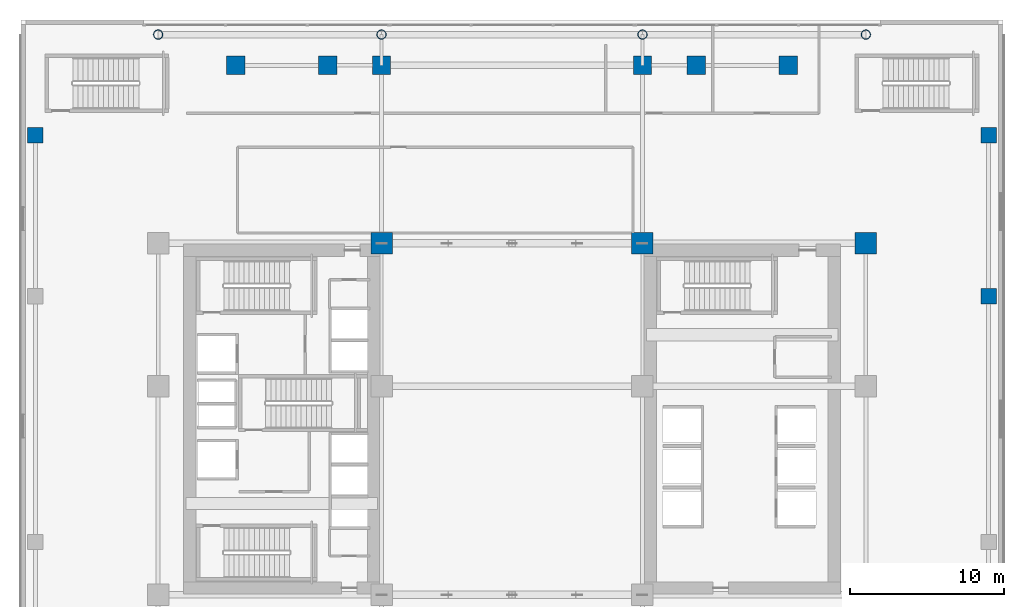
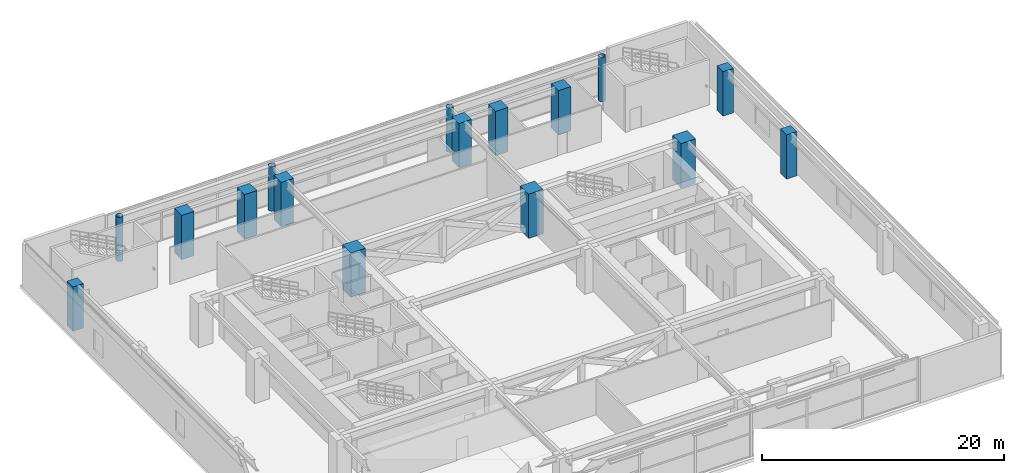
# One storey, part 2 of 28: 16 columns.
"""IFC4 building model written with IfcOpenShell, lengths in metres."""

import ifcopenshell
import ifcopenshell.guid

model = None  # the IFC model being written
_history = None  # IfcOwnerHistory: only IFC2X3 demands one
_inside = {}  # id of a spatial element -> (the spatial element, [elements in it])
_under = {}  # id of a project, library or spatial element -> (it, [spatial elements below it])
_declared = {}  # id of a project -> (the project, [libraries it declares])
_typed = {}  # id of a type object -> (the type object, [elements of that type])
_made_of = {}  # id of a material, layer set ... -> (it, [elements and type objects made of it])


def new_model(schema):
    """Start an empty IFC model of exactly this schema.

    Asked for "IFC4X3", IfcOpenShell would pick the latest addendum, in which some entities
    have other attributes; the version numbers below select the first issue.
    IFC2X3 requires an IfcOwnerHistory on every rooted entity: one is made here for all.
    """
    global model, _history
    if schema == "IFC4X3":
        model = ifcopenshell.file(schema_version=(4, 3, 0, 0))
    else:
        model = ifcopenshell.file(schema=schema)
    _inside.clear()
    _under.clear()
    _declared.clear()
    _typed.clear()
    _made_of.clear()
    _history = None
    if model.schema == "IFC2X3":
        org = make("IfcOrganization", Name="unknown")
        user = make(
            "IfcPersonAndOrganization",
            ThePerson=make("IfcPerson", FamilyName="unknown"),
            TheOrganization=org,
        )
        app = make(
            "IfcApplication",
            ApplicationDeveloper=org,
            Version="unknown",
            ApplicationFullName="unknown",
            ApplicationIdentifier="unknown",
        )
        _history = make(
            "IfcOwnerHistory",
            OwningUser=user,
            OwningApplication=app,
            ChangeAction="ADDED",
            CreationDate=0,
        )
    return model


def make(cls, **values):
    """One entity of the class cls with the attributes given. An attribute that is None is left unset."""
    return model.create_entity(
        cls, **{name: value for name, value in values.items() if value is not None}
    )


def rooted(cls, **values):
    """An entity with a GlobalId (a new one), such as an element, a storey or a relation."""
    return make(cls, GlobalId=ifcopenshell.guid.new(), OwnerHistory=_history, **values)


def si_unit(unit_type, name, prefix=None):
    """IfcSIUnit, for example si_unit("LENGTHUNIT", "METRE", prefix="MILLI")."""
    return make("IfcSIUnit", UnitType=unit_type, Prefix=prefix, Name=name)


def assignment(units):
    """IfcUnitAssignment: the units of a project."""
    return None if units is None else make("IfcUnitAssignment", Units=units)


def point(xyz):
    """IfcCartesianPoint."""
    return None if xyz is None else make("IfcCartesianPoint", Coordinates=xyz)


def direction(xyz):
    """IfcDirection."""
    return None if xyz is None else make("IfcDirection", DirectionRatios=xyz)


def frame(location, z_axis=None, x_axis=None):
    """IfcAxis2Placement3D, a coordinate frame: its origin and axes. An axis left out is left unset."""
    return make(
        "IfcAxis2Placement3D",
        Location=point(location),
        Axis=direction(z_axis),
        RefDirection=direction(x_axis),
    )


def frame_2d(location, x_axis=None):
    """IfcAxis2Placement2D, a coordinate frame in the plane: its origin and x axis."""
    return make(
        "IfcAxis2Placement2D", Location=point(location), RefDirection=direction(x_axis)
    )


def origin():
    """The frame at (0, 0, 0) with its axes left unset."""
    return frame((0.0, 0.0, 0.0))


def origin_2d():
    """The frame at (0, 0) in the plane with its x axis left unset."""
    return frame_2d((0.0, 0.0))


def place(relative_to, where):
    """IfcLocalPlacement: puts the frame where relative to a parent placement (None: the world)."""
    return make(
        "IfcLocalPlacement", PlacementRelTo=relative_to, RelativePlacement=where
    )


def context(
    kind, dimensions, precision=None, world=None, true_north=None, identifier=None
):
    """IfcGeometricRepresentationContext, for example the 3D "Model" context."""
    return make(
        "IfcGeometricRepresentationContext",
        ContextIdentifier=identifier,
        ContextType=kind,
        CoordinateSpaceDimension=dimensions,
        Precision=precision,
        WorldCoordinateSystem=world,
        TrueNorth=true_north,
    )


def subcontext(parent, identifier, kind, view, scale=None):
    """IfcGeometricRepresentationSubContext, for example "Body" below "Model"."""
    return make(
        "IfcGeometricRepresentationSubContext",
        ContextIdentifier=identifier,
        ContextType=kind,
        ParentContext=parent,
        TargetScale=scale,
        TargetView=view,
    )


def project(units=None, contexts=None):
    """IfcProject with its units and contexts."""
    return rooted(
        "IfcProject",
        Name="project",
        RepresentationContexts=contexts,
        UnitsInContext=assignment(units),
    )


def spatial(cls, under=None, at=None, **own):
    """A site, building, storey or space (cls), placed at a placement, below another one or the project."""
    s = rooted(cls, ObjectPlacement=at, **own)
    if under is not None:
        _under.setdefault(under.id(), (under, []))[1].append(s)
    return s


def profile(cls, at=None, kind="AREA", **sizes):
    """A parametric profile (cls). Its sizes go by their IFC names, for example OverallWidth=200.0."""
    return make(cls, ProfileType=kind, Position=at, **sizes)


def rectangle(**sizes):
    """IfcRectangleProfileDef."""
    return profile("IfcRectangleProfileDef", **sizes)


def hollow_circle(**sizes):
    """IfcCircleHollowProfileDef."""
    return profile("IfcCircleHollowProfileDef", **sizes)


def extrude(swept, where, along, depth):
    """IfcExtrudedAreaSolid: the profile swept, set in the frame where, extruded along a direction by depth."""
    return make(
        "IfcExtrudedAreaSolid",
        SweptArea=swept,
        Position=where,
        ExtrudedDirection=direction(along),
        Depth=depth,
    )


def shape(context_of_items, identifier, shape_type, items):
    """IfcShapeRepresentation: the items that make up one representation, for example the "Body"."""
    return make(
        "IfcShapeRepresentation",
        ContextOfItems=context_of_items,
        RepresentationIdentifier=identifier,
        RepresentationType=shape_type,
        Items=items,
    )


def source(mapping_origin, context_of_items, identifier, shape_type, items):
    """IfcRepresentationMap: a shape defined once, which mapped items show again and again."""
    return make(
        "IfcRepresentationMap",
        MappingOrigin=mapping_origin,
        MappedRepresentation=shape(context_of_items, identifier, shape_type, items),
    )


def transform(
    local_origin,
    x_axis=None,
    y_axis=None,
    z_axis=None,
    scale=None,
    scale2=None,
    scale3=None,
    uniform=True,
):
    """IfcCartesianTransformationOperator3D, or its non-uniform kind. x_axis, y_axis, z_axis: its Axis1, 2, 3."""
    if uniform:
        return make(
            "IfcCartesianTransformationOperator3D",
            Axis1=direction(x_axis),
            Axis2=direction(y_axis),
            LocalOrigin=point(local_origin),
            Scale=scale,
            Axis3=direction(z_axis),
        )
    return make(
        "IfcCartesianTransformationOperator3DnonUniform",
        Axis1=direction(x_axis),
        Axis2=direction(y_axis),
        LocalOrigin=point(local_origin),
        Scale=scale,
        Axis3=direction(z_axis),
        Scale2=scale2,
        Scale3=scale3,
    )


def mapped(mapping_source, mapping_target):
    """IfcMappedItem: shows the shape of a source again, moved by a transform."""
    return make(
        "IfcMappedItem", MappingSource=mapping_source, MappingTarget=mapping_target
    )


def material(Name=None, Category=None):
    """IfcMaterial."""
    return make("IfcMaterial", Name=Name, Category=Category)


def material_profile(
    of_material, cross_section, Name=None, Category=None, Priority=None
):
    """IfcMaterialProfile: a cross section and its material."""
    return make(
        "IfcMaterialProfile",
        Name=Name,
        Material=of_material,
        Profile=cross_section,
        Priority=Priority,
        Category=Category,
    )


def profile_set(profiles, Name=None, composite=None):
    """IfcMaterialProfileSet."""
    return make(
        "IfcMaterialProfileSet",
        Name=Name,
        MaterialProfiles=profiles,
        CompositeProfile=composite,
    )


def made_of(thing, what):
    """Note that an element or type object is made of a material, layer set ...; save() writes the relation."""
    if what is not None:
        _made_of.setdefault(what.id(), (what, []))[1].append(thing)
    return thing


def type_object(cls, material=None, **own):
    """A type object (cls), such as IfcWallType, which elements share."""
    return made_of(rooted(cls, **own), material)


def element(
    cls,
    number,
    at=None,
    inside=None,
    cuts=None,
    type_object=None,
    material=None,
    context=None,
    identifier="Body",
    shape_type=None,
    held_by="IfcProductDefinitionShape",
    body=None,
    shapes=None,
    **own,
):
    """One element of the class cls, such as IfcWall. Its Tag is "e" and its number.

    at: its placement. inside: the storey or other place that contains it. cuts: it is an
    opening in that element (IfcRelVoidsElement). A single representation is given by context,
    identifier, shape_type and body (its items); several are given by shapes. held_by: the class
    of the entity that holds the representations. save() writes the other relations.
    """
    e = rooted(cls, Tag="e%d" % number, ObjectPlacement=at, **own)
    if body is not None:
        shapes = [shape(context, identifier, shape_type, body)]
    if shapes is not None:
        e.Representation = make(held_by, Representations=shapes)
    if inside is not None:
        _inside.setdefault(inside.id(), (inside, []))[1].append(e)
    if cuts is not None:
        rooted(
            "IfcRelVoidsElement", RelatingBuildingElement=cuts, RelatedOpeningElement=e
        )
    if type_object is not None:
        _typed.setdefault(type_object.id(), (type_object, []))[1].append(e)
    return made_of(e, material)


def aggregate(whole, parts):
    """IfcRelAggregates: a whole, such as a stair, and the parts it consists of."""
    return rooted("IfcRelAggregates", RelatingObject=whole, RelatedObjects=parts)


def save(model, path):
    """Write the relations noted so far, then the file.

    IfcRelAggregates (storeys below a building ...), IfcRelContainedInSpatialStructure (elements
    in a storey), IfcRelDefinesByType, IfcRelAssociatesMaterial and IfcRelDeclares: one each for
    every whole, place, type object, material and project.
    """
    for whole, parts in _under.values():
        aggregate(whole, parts)
    for where, things in _inside.values():
        rooted(
            "IfcRelContainedInSpatialStructure",
            RelatedElements=things,
            RelatingStructure=where,
        )
    for kind, things in _typed.values():
        rooted("IfcRelDefinesByType", RelatedObjects=things, RelatingType=kind)
    for what, things in _made_of.values():
        rooted("IfcRelAssociatesMaterial", RelatedObjects=things, RelatingMaterial=what)
    for by, libraries in _declared.values():
        rooted("IfcRelDeclares", RelatingContext=by, RelatedDefinitions=libraries)
    model.write(path)


model = new_model("IFC4")

# Units and contexts
model_context = context("Model", 3, precision=1e-05, world=origin(), true_north=direction((0.0, 1.0)))
body_context = subcontext(model_context, "Body", "Model", "MODEL_VIEW")
ifc_project = project(units=[si_unit("LENGTHUNIT", "METRE"), si_unit("AREAUNIT", "SQUARE_METRE"), si_unit("VOLUMEUNIT", "CUBIC_METRE"), si_unit("PLANEANGLEUNIT", "RADIAN"), si_unit("MASSUNIT", "GRAM", prefix="KILO")], contexts=[model_context])

# Site, building, storey
site_placement = place(None, origin())
site = spatial("IfcSite", under=ifc_project, at=site_placement, CompositionType="ELEMENT")
building_placement = place(site_placement, origin())
building = spatial("IfcBuilding", under=site, at=building_placement, Name="Ocotamira Hotel", CompositionType="ELEMENT")
storey_placement = place(building_placement, frame((0.0, 0.0, 24.0)))
storey = spatial("IfcBuildingStorey", under=building, at=storey_placement, Name="L05", CompositionType="ELEMENT", Elevation=24.0)

# Columns
ifc_material_1 = material(Name="Concrete C50/60", Category="concrete")
ifc_material_profile_1 = material_profile(ifc_material_1, rectangle(XDim=1.0, YDim=1.0, at=origin_2d()), Name="RC1000X1000")
ifc_profile_set_1 = profile_set([ifc_material_profile_1], Name="Concrete C50/60")
column_type_1 = type_object("IfcColumnType", Name="COL-RC1000", PredefinedType="COLUMN", material=ifc_profile_set_1)
shared_shape_1 = source(origin(), body_context, "Body", "SweptSolid", [
    extrude(rectangle(XDim=1.0, YDim=1.0, at=origin_2d()), origin(), (0.0, 0.0, 1.0), 4.47998046875),
])
for number, where, z_axis, x_axis, name in (
    (1, (63.050048828125, 34.0, 0.0), (0.0, 0.0, 1.0), (1.0, 0.0, 0.0), "L05 Column PE3"),
    (2, (0.949951171875, 44.5, 0.0), (0.0, 0.0, 1.0), (1.0, 0.0, 0.0), "L05 Column PW4"),
    (3, (63.050048828125, 44.5, 0.0), (0.0, 0.0, 1.0), (1.0, 0.0, 0.0), "L05 Column PE4"),
):
    element("IfcColumn", number, at=place(storey_placement, frame(where, z_axis=z_axis, x_axis=x_axis)), inside=storey, type_object=column_type_1, Name=name, PredefinedType="COLUMN", context=body_context, shape_type="MappedRepresentation", body=[
        mapped(shared_shape_1, transform((0.0, 0.0, 0.0), scale=1.0)),
    ])
ifc_material_2 = material(Name="Steel ASTM A501 Grade B", Category="steel")
ifc_material_profile_2 = material_profile(ifc_material_2, hollow_circle(Radius=0.304931640625, WallThickness=0.02490234375, at=origin_2d()), Name="CHS610X25")
ifc_profile_set_2 = profile_set([ifc_material_profile_2], Name="Steel ASTM A501 Grade B")
column_type_2 = type_object("IfcColumnType", Name="COL-CHS610", PredefinedType="COLUMN", material=ifc_profile_set_2)
shared_shape_2 = source(origin(), body_context, "Body", "SweptSolid", [
    extrude(hollow_circle(Radius=0.304931640625, WallThickness=0.02490234375, at=origin_2d()), origin(), (0.0, 0.0, 1.0), 4.47998046875),
])
for number, where, z_axis, x_axis, name in (
    (4, (8.949951171875, 51.050048828125, 0.0), (0.0, 0.0, 1.0), (1.0, 0.0, 0.0), "L05 Column PS2_1"),
    (5, (23.5, 51.050048828125, 0.0), (0.0, 0.0, 1.0), (1.0, 0.0, 0.0), "L05 Column PS2_2"),
    (6, (40.5, 51.050048828125, 0.0), (0.0, 0.0, 1.0), (1.0, 0.0, 0.0), "L05 Column PS2_3"),
    (7, (55.050048828125, 51.050048828125, 0.0), (0.0, 0.0, 1.0), (1.0, 0.0, 0.0), "L05 Column PS2_4"),
):
    element("IfcColumn", number, at=place(storey_placement, frame(where, z_axis=z_axis, x_axis=x_axis)), inside=storey, type_object=column_type_2, Name=name, PredefinedType="COLUMN", context=body_context, shape_type="MappedRepresentation", body=[
        mapped(shared_shape_2, transform((0.0, 0.0, 0.0), scale=1.0)),
    ])
ifc_material_3 = material(Name="Concrete C60/75", Category="concrete")
ifc_material_profile_3 = material_profile(ifc_material_3, rectangle(XDim=1.39990234375, YDim=1.39990234375, at=origin_2d()), Name="RC1400X1400")
ifc_profile_set_3 = profile_set([ifc_material_profile_3], Name="Concrete C60/75")
column_type_3 = type_object("IfcColumnType", Name="COL-RC1400", PredefinedType="COLUMN", material=ifc_profile_set_3)
shared_shape_3 = source(origin(), body_context, "Body", "SweptSolid", [
    extrude(rectangle(XDim=1.39990234375, YDim=1.39990234375, at=origin_2d()), origin(), (0.0, 0.0, 1.0), 4.47998046875),
])
for number, where, z_axis, x_axis, name in (
    (8, (23.5, 37.449951171875, 0.0), (0.0, 0.0, 1.0), (1.0, 0.0, 0.0), "L05 Column TW23_37"),
    (9, (40.5, 37.449951171875, 0.0), (0.0, 0.0, 1.0), (1.0, 0.0, 0.0), "L05 Column TE40_37"),
    (10, (55.050048828125, 37.449951171875, 0.0), (0.0, 0.0, 1.0), (1.0, 0.0, 0.0), "L05 Column TE55_37"),
):
    element("IfcColumn", number, at=place(storey_placement, frame(where, z_axis=z_axis, x_axis=x_axis)), inside=storey, type_object=column_type_3, Name=name, PredefinedType="COLUMN", context=body_context, shape_type="MappedRepresentation", body=[
        mapped(shared_shape_3, transform((0.0, 0.0, 0.0), scale=1.0)),
    ])
ifc_material_profile_4 = material_profile(ifc_material_3, rectangle(XDim=1.199951171875, YDim=1.199951171875, at=origin_2d()), Name="RC1200X1200")
ifc_profile_set_4 = profile_set([ifc_material_profile_4], Name="Concrete C60/75")
column_type_4 = type_object("IfcColumnType", Name="COL-RC1200", PredefinedType="COLUMN", material=ifc_profile_set_4)
shared_shape_4 = source(origin(), body_context, "Body", "SweptSolid", [
    extrude(rectangle(XDim=1.199951171875, YDim=1.199951171875, at=origin_2d()), origin(), (0.0, 0.0, 1.0), 4.47998046875),
])
for number, where, z_axis, x_axis, name in (
    (11, (14.0, 49.050048828125, 0.0), (0.0, 0.0, 1.0), (1.0, 0.0, 0.0), "L05 Column NSP2_14"),
    (12, (20.0, 49.050048828125, 0.0), (0.0, 0.0, 1.0), (1.0, 0.0, 0.0), "L05 Column NSP2_20"),
    (13, (23.5, 49.050048828125, 0.0), (0.0, 0.0, 1.0), (1.0, 0.0, 0.0), "L05 Column NSP2_23"),
    (14, (40.5, 49.050048828125, 0.0), (0.0, 0.0, 1.0), (1.0, 0.0, 0.0), "L05 Column NSP2_40"),
    (15, (44.0, 49.050048828125, 0.0), (0.0, 0.0, 1.0), (1.0, 0.0, 0.0), "L05 Column NSP2_44"),
    (16, (50.0, 49.050048828125, 0.0), (0.0, 0.0, 1.0), (1.0, 0.0, 0.0), "L05 Column NSP2_50"),
):
    element("IfcColumn", number, at=place(storey_placement, frame(where, z_axis=z_axis, x_axis=x_axis)), inside=storey, type_object=column_type_4, Name=name, PredefinedType="COLUMN", context=body_context, shape_type="MappedRepresentation", body=[
        mapped(shared_shape_4, transform((0.0, 0.0, 0.0), scale=1.0)),
    ])

save(model, "model.ifc")
